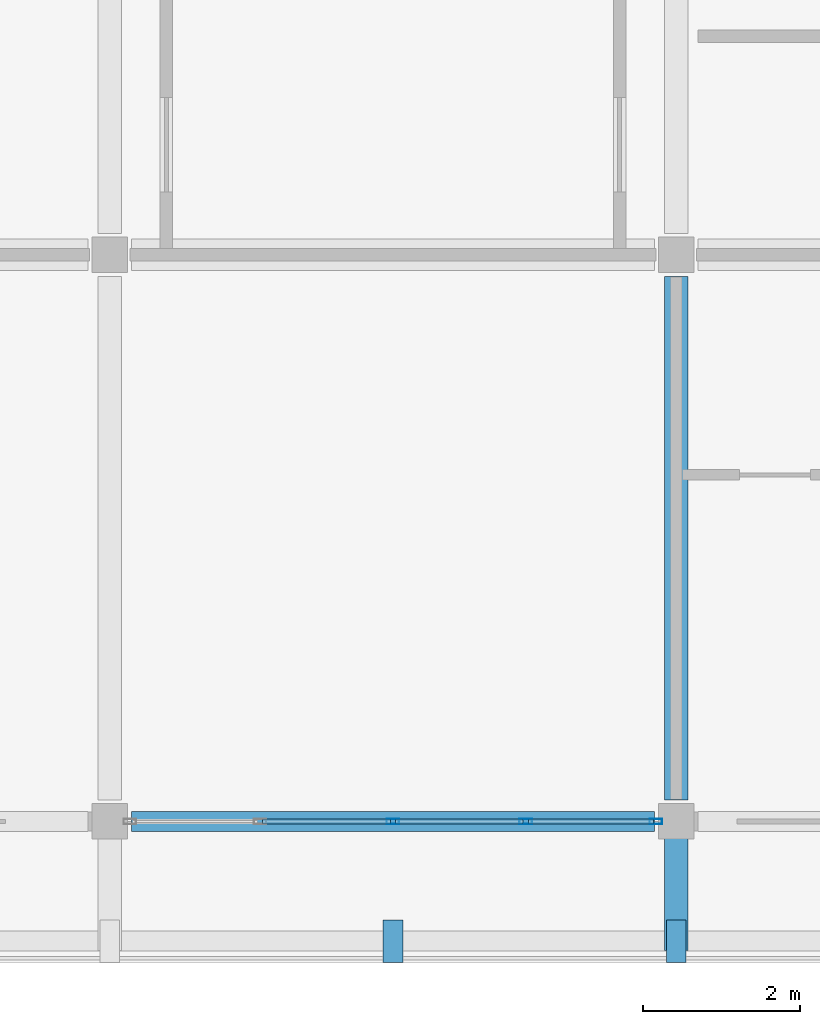
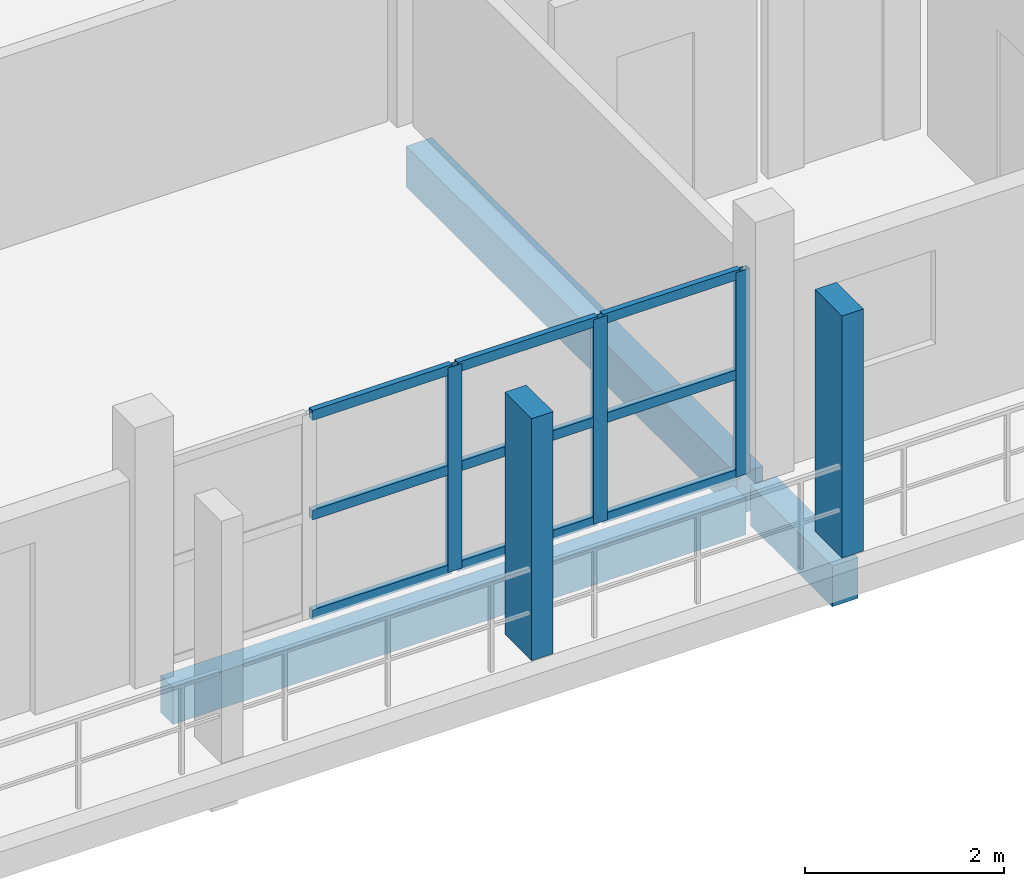
# One storey, part 18 of 56: 14 members, 3 beams, 1 element without a shape of its own.
"""IFC4 building model written with IfcOpenShell, lengths in metres."""

from ifc_helpers import new_model, si_unit, direction, frame, origin, origin_2d, place, context, subcontext, project, spatial, rectangle, hollow_rectangle, extrude, material, material_profile, profile_set, type_object, element, aggregate, save


model = new_model("IFC4")

# Units and contexts
model_context = context("Model", 3, precision=1e-05, world=origin(), true_north=direction((0.0, 1.0)))
body_context = subcontext(model_context, "Body", "Model", "MODEL_VIEW")
ifc_project = project(units=[si_unit("LENGTHUNIT", "METRE"), si_unit("AREAUNIT", "SQUARE_METRE"), si_unit("VOLUMEUNIT", "CUBIC_METRE"), si_unit("PLANEANGLEUNIT", "RADIAN"), si_unit("MASSUNIT", "GRAM", prefix="KILO")], contexts=[model_context])

# Site, building, storey
site_placement = place(None, origin())
site = spatial("IfcSite", under=ifc_project, at=site_placement, CompositionType="ELEMENT")
building_placement = place(site_placement, origin())
building = spatial("IfcBuilding", under=site, at=building_placement, Name="Suanplinth Sawtooth Commons", CompositionType="ELEMENT")
storey_placement = place(building_placement, frame((0.0, 0.0, 34.800048828125)))
storey = spatial("IfcBuildingStorey", under=building, at=storey_placement, Name="L10", CompositionType="ELEMENT", Elevation=34.800048828125)

# Beams
ifc_material_1 = material(Name="Precast concrete C40/50", Category="concrete")
ifc_material_profile_1 = material_profile(ifc_material_1, rectangle(XDim=0.300048828125, YDim=0.5, at=origin_2d()), Name="PC-BM 300x500")
ifc_profile_set_1 = profile_set([ifc_material_profile_1], Name="Precast concrete C40/50")
beam_type_1 = type_object("IfcBeamType", Name="B-07", PredefinedType="BEAM", material=ifc_profile_set_1)
beam_1_placement = place(storey_placement, frame((151.199951171875, 0.27490234375, -0.469970703125), z_axis=(0.0, 1.0, 0.0), x_axis=(-1.0, 0.0, 0.0)))
element("IfcBeam", 1, at=beam_1_placement, inside=storey, type_object=beam_type_1, Name="BMY-L10-C-21-0", PredefinedType="BEAM", context=body_context, shape_type="SweptSolid", body=[
    extrude(rectangle(XDim=0.300048828125, YDim=0.5, at=origin_2d()), origin(), (0.0, 0.0, 1.0), 6.650146484375),
])
beam_2_placement = place(storey_placement, frame((151.199951171875, 0.0, -0.429931640625), z_axis=(0.0, -1.0, 0.0), x_axis=(1.0, 0.0, 0.0)))
element("IfcBeam", 2, at=beam_2_placement, inside=storey, type_object=beam_type_1, Name="Balcony Outrigger L10-C-S-21", PredefinedType="BEAM", context=body_context, shape_type="SweptSolid", body=[
    extrude(rectangle(XDim=0.300048828125, YDim=0.5, at=origin_2d()), origin(), (0.0, 0.0, 1.0), 1.639892578125),
])
ifc_material_profile_2 = material_profile(ifc_material_1, rectangle(XDim=0.25, YDim=0.449951171875, at=origin_2d()), Name="PC-SP 250x450")
ifc_profile_set_2 = profile_set([ifc_material_profile_2], Name="Precast concrete C40/50")
beam_type_2 = type_object("IfcBeamType", Name="B-09", PredefinedType="SPANDREL", material=ifc_profile_set_2)
beam_3_placement = place(storey_placement, frame((144.27490234375, 0.0, -0.445068359375), z_axis=(1.0, 0.0, 0.0), x_axis=(0.0, 1.0, 0.0)))
element("IfcBeam", 3, at=beam_3_placement, inside=storey, type_object=beam_type_2, Name="BMX-L10-C-20-0", PredefinedType="SPANDREL", context=body_context, shape_type="SweptSolid", body=[
    extrude(rectangle(XDim=0.25, YDim=0.449951171875, at=origin_2d()), origin(), (0.0, 0.0, 1.0), 6.650146484375),
])

# Members
ifc_material_2 = material(Name="Pigmented precast concrete C40/50", Category="concrete")
ifc_material_profile_3 = material_profile(ifc_material_2, rectangle(XDim=0.25, YDim=0.5400390625, at=origin_2d()), Name="PC-FIN 250x540")
ifc_profile_set_3 = profile_set([ifc_material_profile_3], Name="Pigmented precast concrete C40/50")
member_type_1 = type_object("IfcMemberType", Name="M-11", PredefinedType="USERDEFINED", material=ifc_profile_set_3)
for number, where, z_axis, x_axis, name in (
    (4, (147.60009765625, -1.52001953125, 0.0), (0.0, 0.0, 1.0), (1.0, 0.0, 0.0), "Upright Solar Blade L10-C-S-03"),
    (5, (151.199951171875, -1.52001953125, 0.0), (0.0, 0.0, 1.0), (1.0, 0.0, 0.0), "Upright Solar Blade L10-C-S-04"),
):
    element("IfcMember", number, at=place(storey_placement, frame(where, z_axis=z_axis, x_axis=x_axis)), inside=storey, type_object=member_type_1, Name=name, ObjectType="SHADING FIN", PredefinedType="USERDEFINED", context=body_context, shape_type="SweptSolid", body=[
        extrude(rectangle(XDim=0.25, YDim=0.5400390625, at=origin_2d()), origin(), (0.0, 0.0, 1.0), 2.969970703125),
    ])

# Curtain wall, members
ifc_material_3 = material(Name="Anodized aluminium and low-E glazing", Category="aluminium")
curtain_wall_type = type_object("IfcCurtainWallType", Name="CW-06", PredefinedType="USERDEFINED", material=ifc_material_3)
curtain_wall_placement = place(storey_placement, origin())
curtain_wall = element("IfcCurtainWall", 6, at=curtain_wall_placement, inside=storey, type_object=curtain_wall_type, Name="Curtain Wall CW-L10-C-LOUNGE-20", ObjectType="CURTAIN WALL", PredefinedType="USERDEFINED")
ifc_material_4 = material(Name="Anodized aluminium 6063-T6", Category="aluminium")
ifc_material_profile_4 = material_profile(ifc_material_4, hollow_rectangle(XDim=0.06494140625, YDim=0.159912109375, WallThickness=0.00390625, at=origin_2d()), Name="ALU-MUL 65x160")
ifc_profile_set_4 = profile_set([ifc_material_profile_4], Name="Anodized aluminium 6063-T6")
member_type_2 = type_object("IfcMemberType", Name="M-13", PredefinedType="MULLION", material=ifc_profile_set_4)
member_1_placement = place(storey_placement, frame((147.60009765625, 0.0, 0.0), z_axis=(0.0, 0.0, 1.0), x_axis=(0.0, 1.0, 0.0)))
member_1 = element("IfcMember", 7, at=member_1_placement, type_object=member_type_2, Name="CW-06 mullion 3", PredefinedType="MULLION", context=body_context, shape_type="SweptSolid", body=[
    extrude(hollow_rectangle(XDim=0.06494140625, YDim=0.159912109375, WallThickness=0.00390625, at=origin_2d()), origin(), (0.0, 0.0, 1.0), 2.510009765625),
])
member_2_placement = place(storey_placement, frame((149.28759765625, 0.0, 0.0), z_axis=(0.0, 0.0, 1.0), x_axis=(0.0, 1.0, 0.0)))
member_2 = element("IfcMember", 8, at=member_2_placement, type_object=member_type_2, Name="CW-06 mullion 4", PredefinedType="MULLION", context=body_context, shape_type="SweptSolid", body=[
    extrude(hollow_rectangle(XDim=0.06494140625, YDim=0.159912109375, WallThickness=0.00390625, at=origin_2d()), origin(), (0.0, 0.0, 1.0), 2.510009765625),
])
member_3_placement = place(storey_placement, frame((150.9423828125, 0.0, 0.0), z_axis=(0.0, 0.0, 1.0), x_axis=(0.0, 1.0, 0.0)))
member_3 = element("IfcMember", 9, at=member_3_placement, type_object=member_type_2, Name="CW-06 mullion 5", PredefinedType="MULLION", context=body_context, shape_type="SweptSolid", body=[
    extrude(hollow_rectangle(XDim=0.06494140625, YDim=0.159912109375, WallThickness=0.00390625, at=origin_2d()), origin(), (0.0, 0.0, 1.0), 2.510009765625),
])
ifc_material_profile_5 = material_profile(ifc_material_4, hollow_rectangle(XDim=0.06494140625, YDim=0.1201171875, WallThickness=0.00390625, at=origin_2d()), Name="ALU-TRN 65x120")
ifc_profile_set_5 = profile_set([ifc_material_profile_5], Name="Anodized aluminium 6063-T6")
member_type_3 = type_object("IfcMemberType", Name="M-15", PredefinedType="USERDEFINED", material=ifc_profile_set_5)
member_4_placement = place(storey_placement, frame((145.945068359375, 0.0, 0.032470703125), z_axis=(1.0, 0.0, 0.0), x_axis=(0.0, 1.0, 0.0)))
member_4 = element("IfcMember", 10, at=member_4_placement, type_object=member_type_3, Name="CW-06 transom 2.1", ObjectType="TRANSOM", PredefinedType="USERDEFINED", context=body_context, shape_type="SweptSolid", body=[
    extrude(hollow_rectangle(XDim=0.06494140625, YDim=0.1201171875, WallThickness=0.00390625, at=origin_2d()), origin(), (0.0, 0.0, 1.0), 1.622314453125),
])
member_5_placement = place(storey_placement, frame((145.945068359375, 0.0, 1.2548828125), z_axis=(1.0, 0.0, 0.0), x_axis=(0.0, 1.0, 0.0)))
member_5 = element("IfcMember", 11, at=member_5_placement, type_object=member_type_3, Name="CW-06 transom 2.2", ObjectType="TRANSOM", PredefinedType="USERDEFINED", context=body_context, shape_type="SweptSolid", body=[
    extrude(hollow_rectangle(XDim=0.06494140625, YDim=0.1201171875, WallThickness=0.00390625, at=origin_2d()), origin(), (0.0, 0.0, 1.0), 1.622314453125),
])
member_6_placement = place(storey_placement, frame((145.945068359375, 0.0, 2.4775390625), z_axis=(1.0, 0.0, 0.0), x_axis=(0.0, 1.0, 0.0)))
member_6 = element("IfcMember", 12, at=member_6_placement, type_object=member_type_3, Name="CW-06 transom 2.3", ObjectType="TRANSOM", PredefinedType="USERDEFINED", context=body_context, shape_type="SweptSolid", body=[
    extrude(hollow_rectangle(XDim=0.06494140625, YDim=0.1201171875, WallThickness=0.00390625, at=origin_2d()), origin(), (0.0, 0.0, 1.0), 1.622314453125),
])
member_7_placement = place(storey_placement, frame((147.632568359375, 0.0, 0.032470703125), z_axis=(1.0, 0.0, 0.0), x_axis=(0.0, 1.0, 0.0)))
member_7 = element("IfcMember", 13, at=member_7_placement, type_object=member_type_3, Name="CW-06 transom 3.1", ObjectType="TRANSOM", PredefinedType="USERDEFINED", context=body_context, shape_type="SweptSolid", body=[
    extrude(hollow_rectangle(XDim=0.06494140625, YDim=0.1201171875, WallThickness=0.00390625, at=origin_2d()), origin(), (0.0, 0.0, 1.0), 1.622314453125),
])
member_8_placement = place(storey_placement, frame((147.632568359375, 0.0, 1.2548828125), z_axis=(1.0, 0.0, 0.0), x_axis=(0.0, 1.0, 0.0)))
member_8 = element("IfcMember", 14, at=member_8_placement, type_object=member_type_3, Name="CW-06 transom 3.2", ObjectType="TRANSOM", PredefinedType="USERDEFINED", context=body_context, shape_type="SweptSolid", body=[
    extrude(hollow_rectangle(XDim=0.06494140625, YDim=0.1201171875, WallThickness=0.00390625, at=origin_2d()), origin(), (0.0, 0.0, 1.0), 1.622314453125),
])
member_9_placement = place(storey_placement, frame((147.632568359375, 0.0, 2.4775390625), z_axis=(1.0, 0.0, 0.0), x_axis=(0.0, 1.0, 0.0)))
member_9 = element("IfcMember", 15, at=member_9_placement, type_object=member_type_3, Name="CW-06 transom 3.3", ObjectType="TRANSOM", PredefinedType="USERDEFINED", context=body_context, shape_type="SweptSolid", body=[
    extrude(hollow_rectangle(XDim=0.06494140625, YDim=0.1201171875, WallThickness=0.00390625, at=origin_2d()), origin(), (0.0, 0.0, 1.0), 1.622314453125),
])
member_10_placement = place(storey_placement, frame((149.320068359375, 0.0, 0.032470703125), z_axis=(1.0, 0.0, 0.0), x_axis=(0.0, 1.0, 0.0)))
member_10 = element("IfcMember", 16, at=member_10_placement, type_object=member_type_3, Name="CW-06 transom 4.1", ObjectType="TRANSOM", PredefinedType="USERDEFINED", context=body_context, shape_type="SweptSolid", body=[
    extrude(hollow_rectangle(XDim=0.06494140625, YDim=0.1201171875, WallThickness=0.00390625, at=origin_2d()), origin(), (0.0, 0.0, 1.0), 1.58984375),
])
member_11_placement = place(storey_placement, frame((149.320068359375, 0.0, 1.2548828125), z_axis=(1.0, 0.0, 0.0), x_axis=(0.0, 1.0, 0.0)))
member_11 = element("IfcMember", 17, at=member_11_placement, type_object=member_type_3, Name="CW-06 transom 4.2", ObjectType="TRANSOM", PredefinedType="USERDEFINED", context=body_context, shape_type="SweptSolid", body=[
    extrude(hollow_rectangle(XDim=0.06494140625, YDim=0.1201171875, WallThickness=0.00390625, at=origin_2d()), origin(), (0.0, 0.0, 1.0), 1.58984375),
])
member_12_placement = place(storey_placement, frame((149.320068359375, 0.0, 2.4775390625), z_axis=(1.0, 0.0, 0.0), x_axis=(0.0, 1.0, 0.0)))
member_12 = element("IfcMember", 18, at=member_12_placement, type_object=member_type_3, Name="CW-06 transom 4.3", ObjectType="TRANSOM", PredefinedType="USERDEFINED", context=body_context, shape_type="SweptSolid", body=[
    extrude(hollow_rectangle(XDim=0.06494140625, YDim=0.1201171875, WallThickness=0.00390625, at=origin_2d()), origin(), (0.0, 0.0, 1.0), 1.58984375),
])
aggregate(curtain_wall, [member_1, member_2, member_3, member_4, member_5, member_6, member_7, member_8, member_9, member_10, member_11, member_12])

save(model, "model.ifc")
